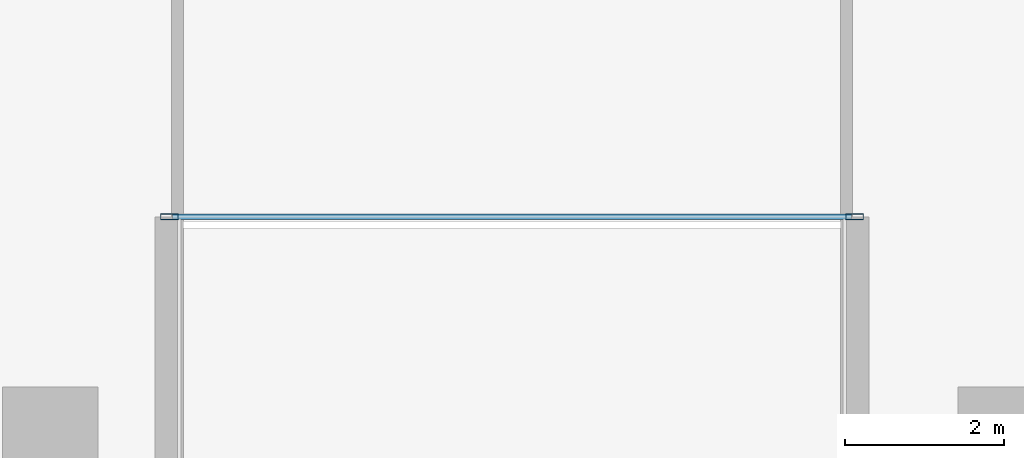
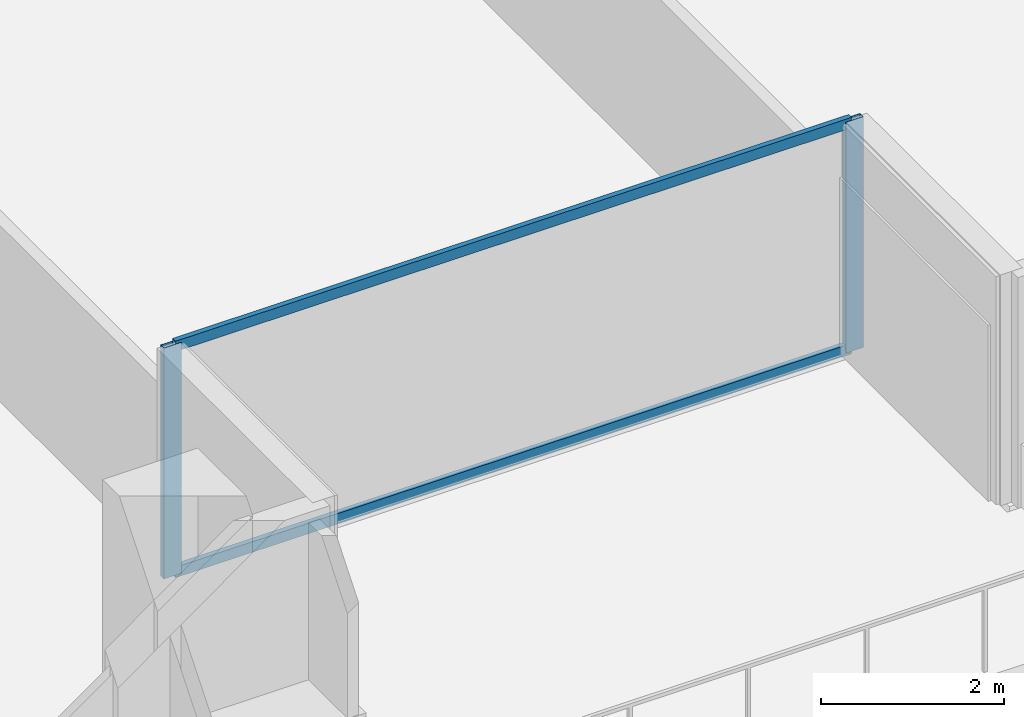
# One storey, part 2 of 23: 4 members, 1 element without a shape of its own.
"""IFC4 building model written with IfcOpenShell, lengths in metres."""

from ifc_helpers import new_model, si_unit, direction, frame, origin, origin_2d, place, context, subcontext, project, spatial, hollow_rectangle, extrude, material, layer, layer_set, material_profile, profile_set, type_object, element, aggregate, save


model = new_model("IFC4")

# Units and contexts
model_context = context("Model", 3, precision=1e-05, world=origin(), true_north=direction((0.0, 1.0)))
body_context = subcontext(model_context, "Body", "Model", "MODEL_VIEW")
ifc_project = project(units=[si_unit("LENGTHUNIT", "METRE"), si_unit("AREAUNIT", "SQUARE_METRE"), si_unit("VOLUMEUNIT", "CUBIC_METRE"), si_unit("PLANEANGLEUNIT", "RADIAN"), si_unit("MASSUNIT", "GRAM", prefix="KILO")], contexts=[model_context])

# Site, building, storey
site_placement = place(None, origin())
site = spatial("IfcSite", under=ifc_project, at=site_placement, CompositionType="ELEMENT")
building_placement = place(site_placement, origin())
building = spatial("IfcBuilding", under=site, at=building_placement, Name="Tanjung Sevakor Pilgrim Tower", CompositionType="ELEMENT")
storey_placement = place(building_placement, frame((0.0, 0.0, 29.0400390625)))
storey = spatial("IfcBuildingStorey", under=building, at=storey_placement, Name="L07", CompositionType="ELEMENT", Elevation=29.0400390625)

# Curtain wall, members
ifc_material_1 = material(Name="Aluminium 6063-T6 and Low-E Glass", Category="aluminium")
ifc_layer = layer(ifc_material_1, 0.179931640625)
ifc_layer_set = layer_set([ifc_layer], Name="CW-SYS-CLEFT")
curtain_wall_type = type_object("IfcCurtainWallType", Name="CW-SYS-CLEFT", PredefinedType="NOTDEFINED", material=ifc_layer_set)
curtain_wall_placement = place(storey_placement, origin())
curtain_wall = element("IfcCurtainWall", 1, at=curtain_wall_placement, inside=storey, type_object=curtain_wall_type, Name="L07 Curtain Wall CW-CLF-L07-2", PredefinedType="NOTDEFINED")
ifc_material_2 = material(Name="Aluminium 6063-T6", Category="aluminium")
ifc_material_profile_1 = material_profile(ifc_material_2, hollow_rectangle(XDim=0.074951171875, YDim=0.219970703125, WallThickness=0.0048828125, at=origin_2d()))
ifc_profile_set_1 = profile_set([ifc_material_profile_1], Name="Aluminium 6063-T6")
member_type_1 = type_object("IfcMemberType", Name="TYPE-CWM-2", PredefinedType="MULLION", material=ifc_profile_set_1)
member_1_placement = place(storey_placement, frame((43.49755859375, 11.139892578125, 0.0), z_axis=(0.0, 0.0, 1.0), x_axis=(0.0, 1.0, 0.0)))
member_1 = element("IfcMember", 2, at=member_1_placement, type_object=member_type_1, Name="CW-CLF mullion 1", PredefinedType="MULLION", context=body_context, shape_type="SweptSolid", body=[
    extrude(hollow_rectangle(XDim=0.074951171875, YDim=0.219970703125, WallThickness=0.0048828125, at=origin_2d()), origin(), (0.0, 0.0, 1.0), 3.080078125),
])
member_2_placement = place(storey_placement, frame((52.1025390625, 11.139892578125, 0.0), z_axis=(0.0, 0.0, 1.0), x_axis=(0.0, 1.0, 0.0)))
member_2 = element("IfcMember", 3, at=member_2_placement, type_object=member_type_1, Name="CW-CLF mullion 2", PredefinedType="MULLION", context=body_context, shape_type="SweptSolid", body=[
    extrude(hollow_rectangle(XDim=0.074951171875, YDim=0.219970703125, WallThickness=0.0048828125, at=origin_2d()), origin(), (0.0, 0.0, 1.0), 3.080078125),
])
ifc_material_3 = material(Name="Aluminium 6063-T6", Category="aluminium")
ifc_material_profile_2 = material_profile(ifc_material_3, hollow_rectangle(XDim=0.06494140625, YDim=0.139892578125, WallThickness=0.00390625, at=origin_2d()))
ifc_profile_set_2 = profile_set([ifc_material_profile_2], Name="Aluminium 6063-T6")
member_type_2 = type_object("IfcMemberType", Name="TYPE-CWT-1", PredefinedType="USERDEFINED", material=ifc_profile_set_2)
member_3_placement = place(storey_placement, frame((43.534912109375, 11.139892578125, 0.032470703125), z_axis=(1.0, 0.0, 0.0), x_axis=(0.0, 1.0, 0.0)))
member_3 = element("IfcMember", 4, at=member_3_placement, type_object=member_type_2, Name="CW-CLF transom 1.1", ObjectType="TRANSOM", PredefinedType="USERDEFINED", context=body_context, shape_type="SweptSolid", body=[
    extrude(hollow_rectangle(XDim=0.06494140625, YDim=0.139892578125, WallThickness=0.00390625, at=origin_2d()), origin(), (0.0, 0.0, 1.0), 8.530029296875),
])
member_4_placement = place(storey_placement, frame((43.534912109375, 11.139892578125, 3.04736328125), z_axis=(1.0, 0.0, 0.0), x_axis=(0.0, 1.0, 0.0)))
member_4 = element("IfcMember", 5, at=member_4_placement, type_object=member_type_2, Name="CW-CLF transom 1.2", ObjectType="TRANSOM", PredefinedType="USERDEFINED", context=body_context, shape_type="SweptSolid", body=[
    extrude(hollow_rectangle(XDim=0.06494140625, YDim=0.139892578125, WallThickness=0.00390625, at=origin_2d()), origin(), (0.0, 0.0, 1.0), 8.530029296875),
])
aggregate(curtain_wall, [member_1, member_2, member_3, member_4])

save(model, "model.ifc")
